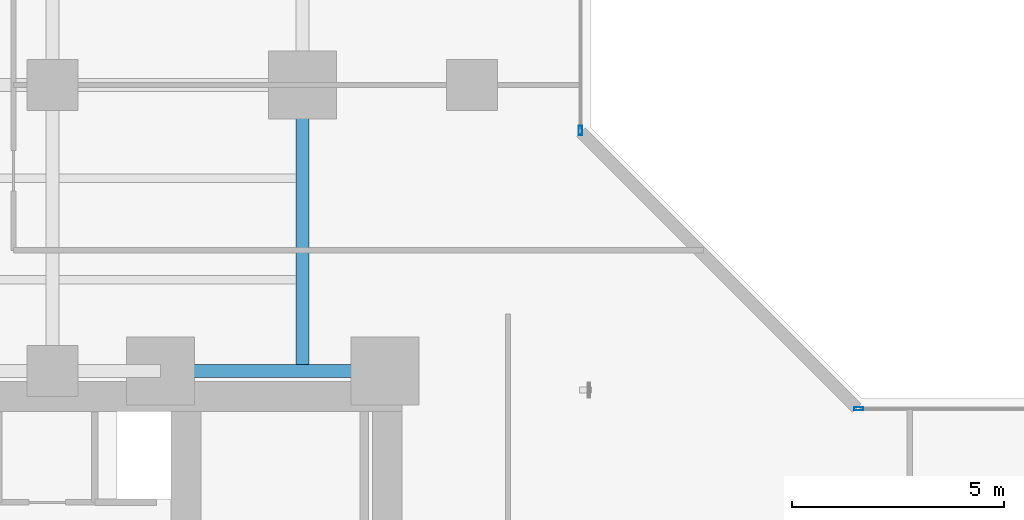
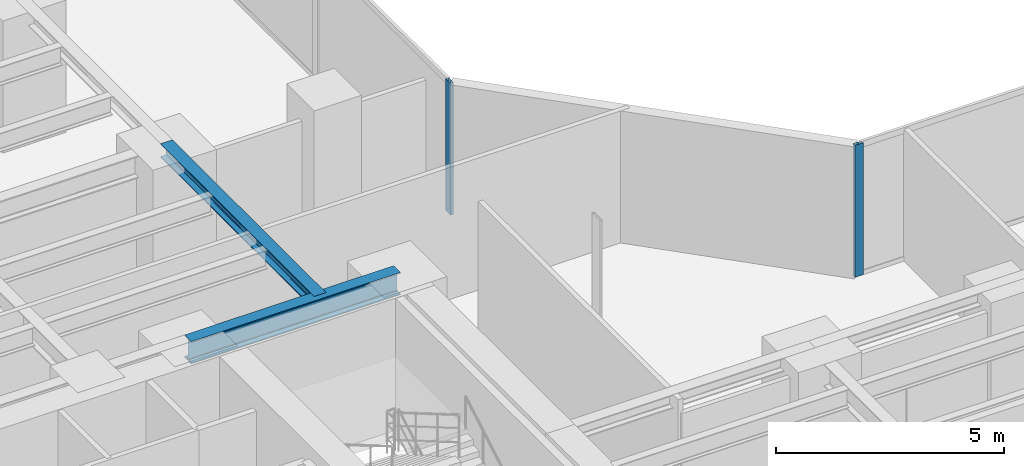
# One storey, part 8 of 28: 2 beams, 2 members, 2 elements without a shape of their own.
"""IFC4 building model written with IfcOpenShell, lengths in metres."""

from ifc_helpers import new_model, si_unit, direction, frame, origin, origin_with_axes, origin_2d, place, context, subcontext, project, spatial, hollow_rectangle, i_section, extrude, source, transform, mapped, material, layer, layer_set, material_profile, profile_set, type_object, element, aggregate, save


model = new_model("IFC4")

# Units and contexts
model_context = context("Model", 3, precision=1e-05, world=origin(), true_north=direction((0.0, 1.0)))
body_context = subcontext(model_context, "Body", "Model", "MODEL_VIEW")
ifc_project = project(units=[si_unit("LENGTHUNIT", "METRE"), si_unit("AREAUNIT", "SQUARE_METRE"), si_unit("VOLUMEUNIT", "CUBIC_METRE"), si_unit("PLANEANGLEUNIT", "RADIAN"), si_unit("MASSUNIT", "GRAM", prefix="KILO")], contexts=[model_context])

# Site, building, storey
site_placement = place(None, origin())
site = spatial("IfcSite", under=ifc_project, at=site_placement, CompositionType="ELEMENT")
building_placement = place(site_placement, origin())
building = spatial("IfcBuilding", under=site, at=building_placement, Name="Kolvaren Waterfront Exchange", CompositionType="ELEMENT")
storey_placement = place(building_placement, frame((0.0, 0.0, 41.0)))
storey = spatial("IfcBuildingStorey", under=building, at=storey_placement, Name="L10", CompositionType="ELEMENT", Elevation=41.0)

# Beams
ifc_material_1 = material(Name="Steel S355", Category="steel")
ifc_material_profile_1 = material_profile(ifc_material_1, i_section(OverallWidth=0.300048828125, OverallDepth=0.360107421875, WebThickness=0.012451171875, FlangeThickness=0.0224609375, FilletRadius=0.027099609375, at=origin_2d()), Name="HEB360")
ifc_profile_set_1 = profile_set([ifc_material_profile_1], Name="Steel S355")
beam_type_1 = type_object("IfcBeamType", Name="STR-BM-HEB360", PredefinedType="SPANDREL", material=ifc_profile_set_1)
beam_1_placement = place(storey_placement, frame((18.800048828125, 24.449951171875, 3.360107421875), z_axis=(0.0, 1.0, 0.0), x_axis=(-1.0, 0.0, 0.0)))
element("IfcBeam", 1, at=beam_1_placement, inside=storey, type_object=beam_type_1, Name="L10 north-arm edge beam 1", PredefinedType="SPANDREL", context=body_context, shape_type="SweptSolid", body=[
    extrude(i_section(OverallWidth=0.300048828125, OverallDepth=0.360107421875, WebThickness=0.012451171875, FlangeThickness=0.0224609375, FilletRadius=0.027099609375, at=origin_2d()), origin(), (0.0, 0.0, 1.0), 6.75),
])
ifc_material_profile_2 = material_profile(ifc_material_1, i_section(OverallWidth=0.300048828125, OverallDepth=0.60009765625, WebThickness=0.015380859375, FlangeThickness=0.030029296875, FilletRadius=0.027099609375, at=origin_2d()), Name="HEB600")
ifc_profile_set_2 = profile_set([ifc_material_profile_2], Name="Steel S355")
beam_type_2 = type_object("IfcBeamType", Name="STR-BM-HEB600", PredefinedType="BEAM", material=ifc_profile_set_2)
beam_2_placement = place(storey_placement, frame((15.449951171875, 24.449951171875, 3.239990234375), z_axis=(1.0, 0.0, 0.0), x_axis=(0.0, 1.0, 0.0)))
element("IfcBeam", 2, at=beam_2_placement, inside=storey, type_object=beam_type_2, Name="L10 north-arm girder 1C", PredefinedType="BEAM", context=body_context, shape_type="SweptSolid", body=[
    extrude(i_section(OverallWidth=0.300048828125, OverallDepth=0.60009765625, WebThickness=0.015380859375, FlangeThickness=0.030029296875, FilletRadius=0.027099609375, at=origin_2d()), origin(), (0.0, 0.0, 1.0), 5.300048828125),
])

# Curtain wall, member
ifc_material_2 = material(Name="Anodised bronze aluminium 6063-T6", Category="aluminium")
ifc_layer = layer(ifc_material_2, 0.219970703125, Name="Anodised bronze aluminium 6063-T6")
ifc_layer_set = layer_set([ifc_layer], Name="Anodised bronze aluminium 6063-T6")
curtain_wall_type = type_object("IfcCurtainWallType", Name="ARC-CW-SYS1", PredefinedType="USERDEFINED", material=ifc_layer_set)
curtain_wall_1_placement = place(storey_placement, origin())
curtain_wall_1 = element("IfcCurtainWall", 3, at=curtain_wall_1_placement, inside=storey, type_object=curtain_wall_type, Name="L10 stick curtain wall CW1 (CW-L10-NE)", ObjectType="STICK CURTAIN WALL", PredefinedType="USERDEFINED")
ifc_material_3 = material(Name="Anodised aluminium 6063-T6", Category="aluminium")
ifc_material_profile_3 = material_profile(ifc_material_3, hollow_rectangle(XDim=0.080078125, YDim=0.219970703125, WallThickness=0.0048828125, at=origin_2d()), Name="ALU-MUL-220x80x5")
ifc_profile_set_3 = profile_set([ifc_material_profile_3], Name="Anodised aluminium 6063-T6")
member_type = type_object("IfcMemberType", Name="ARC-CWM-220", PredefinedType="MULLION", material=ifc_profile_set_3)
shared_shape = source(origin_with_axes(), body_context, "Body", "SweptSolid", [
    extrude(hollow_rectangle(XDim=0.080078125, YDim=0.219970703125, WallThickness=0.0048828125, at=origin_2d()), origin(), (0.0, 0.0, 1.0), 3.5400390625),
])
member_1_placement = place(storey_placement, frame((25.360107421875, 30.1298828125, 0.0), z_axis=(0.0, 0.0, 1.0), x_axis=(-1.0, 0.0, 0.0)))
member_1 = element("IfcMember", 4, at=member_1_placement, type_object=member_type, Name="CW1 mullion 1", PredefinedType="MULLION", context=body_context, shape_type="MappedRepresentation", body=[
    mapped(shared_shape, transform((0.0, 0.0, 0.0), x_axis=(1.0, 0.0, 0.0), y_axis=(0.0, 1.0, 0.0), z_axis=(0.0, 0.0, 1.0), scale=1.0)),
])
aggregate(curtain_wall_1, [member_1])

curtain_wall_2_placement = place(storey_placement, origin())
curtain_wall_2 = element("IfcCurtainWall", 5, at=curtain_wall_2_placement, inside=storey, type_object=curtain_wall_type, Name="L10 stick curtain wall CW1 (CW-L10-EN)", ObjectType="STICK CURTAIN WALL", PredefinedType="USERDEFINED")
member_2_placement = place(storey_placement, frame((31.929931640625, 23.56005859375, 0.0), z_axis=(0.0, 0.0, 1.0), x_axis=(0.0, 1.0, 0.0)))
member_2 = element("IfcMember", 6, at=member_2_placement, type_object=member_type, Name="CW1 mullion 1", PredefinedType="MULLION", context=body_context, shape_type="MappedRepresentation", body=[
    mapped(shared_shape, transform((0.0, 0.0, 0.0), x_axis=(1.0, 0.0, 0.0), y_axis=(0.0, 1.0, 0.0), z_axis=(0.0, 0.0, 1.0), scale=1.0)),
])
aggregate(curtain_wall_2, [member_2])

save(model, "model.ifc")
